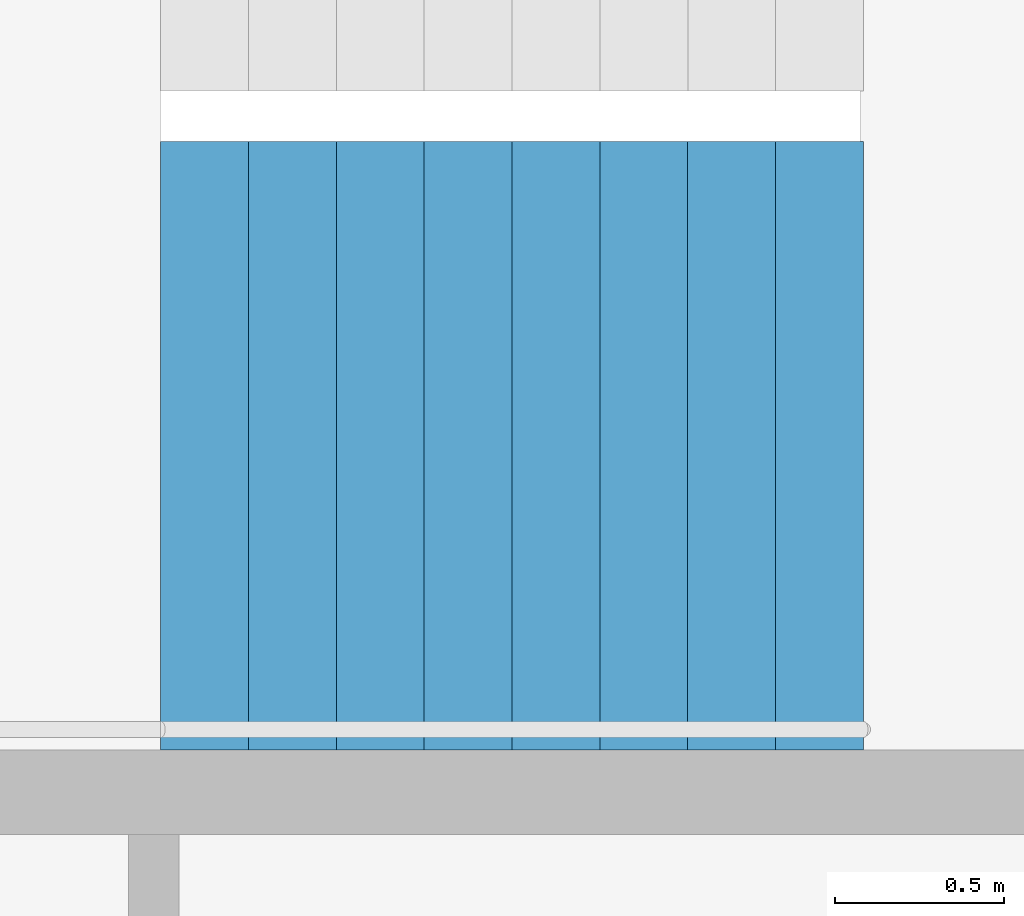
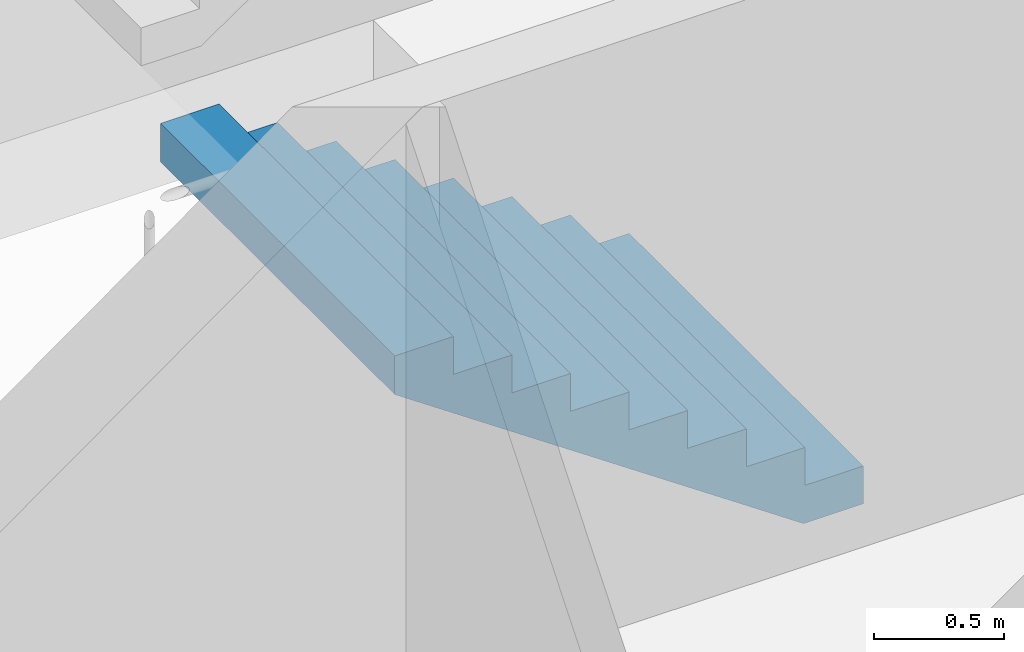
# One storey, part 24 of 26: 1 stair flight, 1 element without a shape of its own.
"""IFC4 building model written with IfcOpenShell, lengths in metres."""

from ifc_helpers import new_model, si_unit, direction, frame, origin, place, context, subcontext, project, spatial, triangles, material, type_object, element, aggregate, save


model = new_model("IFC4")

# Units and contexts
model_context = context("Model", 3, precision=1e-05, world=origin(), true_north=direction((0.0, 1.0)))
body_context = subcontext(model_context, "Body", "Model", "MODEL_VIEW")
ifc_project = project(units=[si_unit("LENGTHUNIT", "METRE"), si_unit("AREAUNIT", "SQUARE_METRE"), si_unit("VOLUMEUNIT", "CUBIC_METRE"), si_unit("PLANEANGLEUNIT", "RADIAN"), si_unit("MASSUNIT", "GRAM", prefix="KILO")], contexts=[model_context])

# Site, building, storey
site_placement = place(None, origin())
site = spatial("IfcSite", under=ifc_project, at=site_placement, CompositionType="ELEMENT")
building_placement = place(site_placement, origin())
building = spatial("IfcBuilding", under=site, at=building_placement, Name="Hakoniwa Tower and Hamabe Station Hall", CompositionType="ELEMENT")
storey_placement = place(building_placement, frame((0.0, 0.0, 131.0)))
storey = spatial("IfcBuildingStorey", under=building, at=storey_placement, Name="L36", CompositionType="ELEMENT", Elevation=131.0)

# Stair, stair flight
ifc_material_1 = material(Name="Concrete C40", Category="concrete")
stair_type = type_object("IfcStairType", Name="ESCAPE STAIR 1800", PredefinedType="HALF_TURN_STAIR", material=ifc_material_1)
stair_placement = place(storey_placement, origin())
stair = element("IfcStair", 1, at=stair_placement, inside=storey, type_object=stair_type, Name="Escape stair ST-3 L36", PredefinedType="HALF_TURN_STAIR")
ifc_material_2 = material(Name="Concrete C40", Category="concrete")
stair_flight_type = type_object("IfcStairFlightType", Name="STAIR FLIGHT 1800", PredefinedType="STRAIGHT", material=ifc_material_2)
stair_flight_placement = place(storey_placement, frame((24.39990234375, 4.64990234375, 0.0), z_axis=(0.0, 0.0, 1.0), x_axis=(-1.0, 0.0, 0.0)))
stair_flight = element("IfcStairFlight", 2, at=stair_flight_placement, type_object=stair_flight_type, Name="ST-3 flight 1", NumberOfRisers=9, NumberOfTreads=8, PredefinedType="STRAIGHT", RiserHeight=0.177777778, TreadLength=0.26, context=body_context, shape_type="Tessellation", body=[
    triangles([(0.0, 0.89990234375, 0.0), (0.260009765625, 0.89990234375, 0.0), (0.265625, 0.89990234375, 0.0), (0.52001953125, 0.89990234375, 0.174072265625), (0.780029296875, 0.89990234375, 0.351806640625), (1.0400390625, 0.89990234375, 0.529541015625), (1.300048828125, 0.89990234375, 0.707275390625), (1.56005859375, 0.89990234375, 0.885009765625), (1.820068359375, 0.89990234375, 1.062744140625), (2.080078125, 0.89990234375, 1.24072265625), (2.080078125, 0.89990234375, 1.422119140625), (1.820068359375, 0.89990234375, 1.422119140625), (1.820068359375, 0.89990234375, 1.244384765625), (1.56005859375, 0.89990234375, 1.244384765625), (1.56005859375, 0.89990234375, 1.066650390625), (1.300048828125, 0.89990234375, 1.066650390625), (1.300048828125, 0.89990234375, 0.888916015625), (1.0400390625, 0.89990234375, 0.888916015625), (1.0400390625, 0.89990234375, 0.711181640625), (0.780029296875, 0.89990234375, 0.711181640625), (0.780029296875, 0.89990234375, 0.533447265625), (0.52001953125, 0.89990234375, 0.533447265625), (0.52001953125, 0.89990234375, 0.35546875), (0.265625, 0.89990234375, 0.35546875), (0.260009765625, 0.89990234375, 0.35546875), (0.260009765625, 0.89990234375, 0.177734375), (0.0, 0.89990234375, 0.177734375), (0.0, 0.06005859375, 0.0), (0.260009765625, 0.06005859375, 0.0), (0.265625, 0.06005859375, 0.0), (0.52001953125, 0.06005859375, 0.174072265625), (0.780029296875, 0.06005859375, 0.351806640625), (1.0400390625, 0.06005859375, 0.529541015625), (1.300048828125, 0.06005859375, 0.707275390625), (1.56005859375, 0.06005859375, 0.885009765625), (1.820068359375, 0.06005859375, 1.062744140625), (2.080078125, 0.06005859375, 1.24072265625), (2.080078125, 0.06005859375, 1.422119140625), (1.820068359375, 0.06005859375, 1.422119140625), (1.820068359375, 0.06005859375, 1.244384765625), (1.56005859375, 0.06005859375, 1.244384765625), (1.56005859375, 0.06005859375, 1.066650390625), (1.300048828125, 0.06005859375, 1.066650390625), (1.300048828125, 0.06005859375, 0.888916015625), (1.0400390625, 0.06005859375, 0.888916015625), (1.0400390625, 0.06005859375, 0.711181640625), (0.780029296875, 0.06005859375, 0.711181640625), (0.780029296875, 0.06005859375, 0.533447265625), (0.52001953125, 0.06005859375, 0.533447265625), (0.52001953125, 0.06005859375, 0.35546875), (0.265625, 0.06005859375, 0.35546875), (0.260009765625, 0.06005859375, 0.35546875), (0.260009765625, 0.06005859375, 0.177734375), (0.0, 0.06005859375, 0.177734375), (0.0, 0.04296875, 0.0), (0.260009765625, 0.04296875, 0.0), (0.265625, 0.04296875, 0.0), (0.52001953125, 0.04296875, 0.174072265625), (0.780029296875, 0.04296875, 0.351806640625), (1.0400390625, 0.04296875, 0.529541015625), (1.300048828125, 0.04296875, 0.707275390625), (1.56005859375, 0.04296875, 0.885009765625), (1.820068359375, 0.04296875, 1.062744140625), (2.080078125, 0.04296875, 1.24072265625), (2.080078125, 0.04296875, 1.422119140625), (1.820068359375, 0.04296875, 1.422119140625), (1.820068359375, 0.04296875, 1.244384765625), (1.56005859375, 0.04296875, 1.244384765625), (1.56005859375, 0.04296875, 1.066650390625), (1.300048828125, 0.04296875, 1.066650390625), (1.300048828125, 0.04296875, 0.888916015625), (1.0400390625, 0.04296875, 0.888916015625), (1.0400390625, 0.04296875, 0.711181640625), (0.780029296875, 0.04296875, 0.711181640625), (0.780029296875, 0.04296875, 0.533447265625), (0.52001953125, 0.04296875, 0.533447265625), (0.52001953125, 0.04296875, 0.35546875), (0.265625, 0.04296875, 0.35546875), (0.260009765625, 0.04296875, 0.35546875), (0.260009765625, 0.04296875, 0.177734375), (0.0, 0.04296875, 0.177734375), (0.0, 0.025634765625, 0.0), (0.260009765625, 0.025634765625, 0.0), (0.265625, 0.025634765625, 0.0), (0.52001953125, 0.025634765625, 0.174072265625), (0.780029296875, 0.025634765625, 0.351806640625), (1.0400390625, 0.025634765625, 0.529541015625), (1.300048828125, 0.025634765625, 0.707275390625), (1.56005859375, 0.025634765625, 0.885009765625), (1.820068359375, 0.025634765625, 1.062744140625), (2.080078125, 0.025634765625, 1.24072265625), (2.080078125, 0.025634765625, 1.422119140625), (1.820068359375, 0.025634765625, 1.422119140625), (1.820068359375, 0.025634765625, 1.244384765625), (1.56005859375, 0.025634765625, 1.244384765625), (1.56005859375, 0.025634765625, 1.066650390625), (1.300048828125, 0.025634765625, 1.066650390625), (1.300048828125, 0.025634765625, 0.888916015625), (1.0400390625, 0.025634765625, 0.888916015625), (1.0400390625, 0.025634765625, 0.711181640625), (0.780029296875, 0.025634765625, 0.711181640625), (0.780029296875, 0.025634765625, 0.533447265625), (0.52001953125, 0.025634765625, 0.533447265625), (0.52001953125, 0.025634765625, 0.35546875), (0.265625, 0.025634765625, 0.35546875), (0.260009765625, 0.025634765625, 0.35546875), (0.260009765625, 0.025634765625, 0.177734375), (0.0, 0.025634765625, 0.177734375), (0.0, 0.008544921875, 0.0), (0.260009765625, 0.008544921875, 0.0), (0.265625, 0.008544921875, 0.0), (0.52001953125, 0.008544921875, 0.174072265625), (0.780029296875, 0.008544921875, 0.351806640625), (1.0400390625, 0.008544921875, 0.529541015625), (1.300048828125, 0.008544921875, 0.707275390625), (1.56005859375, 0.008544921875, 0.885009765625), (1.820068359375, 0.008544921875, 1.062744140625), (2.080078125, 0.008544921875, 1.24072265625), (2.080078125, 0.008544921875, 1.422119140625), (1.820068359375, 0.008544921875, 1.422119140625), (1.820068359375, 0.008544921875, 1.244384765625), (1.56005859375, 0.008544921875, 1.244384765625), (1.56005859375, 0.008544921875, 1.066650390625), (1.300048828125, 0.008544921875, 1.066650390625), (1.300048828125, 0.008544921875, 0.888916015625), (1.0400390625, 0.008544921875, 0.888916015625), (1.0400390625, 0.008544921875, 0.711181640625), (0.780029296875, 0.008544921875, 0.711181640625), (0.780029296875, 0.008544921875, 0.533447265625), (0.52001953125, 0.008544921875, 0.533447265625), (0.52001953125, 0.008544921875, 0.35546875), (0.265625, 0.008544921875, 0.35546875), (0.260009765625, 0.008544921875, 0.35546875), (0.260009765625, 0.008544921875, 0.177734375), (0.0, 0.008544921875, 0.177734375), (0.0, -0.008544921875, 0.0), (0.260009765625, -0.008544921875, 0.0), (0.265625, -0.008544921875, 0.0), (0.52001953125, -0.008544921875, 0.174072265625), (0.780029296875, -0.008544921875, 0.351806640625), (1.0400390625, -0.008544921875, 0.529541015625), (1.300048828125, -0.008544921875, 0.707275390625), (1.56005859375, -0.008544921875, 0.885009765625), (1.820068359375, -0.008544921875, 1.062744140625), (2.080078125, -0.008544921875, 1.24072265625), (2.080078125, -0.008544921875, 1.422119140625), (1.820068359375, -0.008544921875, 1.422119140625), (1.820068359375, -0.008544921875, 1.244384765625), (1.56005859375, -0.008544921875, 1.244384765625), (1.56005859375, -0.008544921875, 1.066650390625), (1.300048828125, -0.008544921875, 1.066650390625), (1.300048828125, -0.008544921875, 0.888916015625), (1.0400390625, -0.008544921875, 0.888916015625), (1.0400390625, -0.008544921875, 0.711181640625), (0.780029296875, -0.008544921875, 0.711181640625), (0.780029296875, -0.008544921875, 0.533447265625), (0.52001953125, -0.008544921875, 0.533447265625), (0.52001953125, -0.008544921875, 0.35546875), (0.265625, -0.008544921875, 0.35546875), (0.260009765625, -0.008544921875, 0.35546875), (0.260009765625, -0.008544921875, 0.177734375), (0.0, -0.008544921875, 0.177734375), (0.0, -0.025634765625, 0.0), (0.260009765625, -0.025634765625, 0.0), (0.265625, -0.025634765625, 0.0), (0.52001953125, -0.025634765625, 0.174072265625), (0.780029296875, -0.025634765625, 0.351806640625), (1.0400390625, -0.025634765625, 0.529541015625), (1.300048828125, -0.025634765625, 0.707275390625), (1.56005859375, -0.025634765625, 0.885009765625), (1.820068359375, -0.025634765625, 1.062744140625), (2.080078125, -0.025634765625, 1.24072265625), (2.080078125, -0.025634765625, 1.422119140625), (1.820068359375, -0.025634765625, 1.422119140625), (1.820068359375, -0.025634765625, 1.244384765625), (1.56005859375, -0.025634765625, 1.244384765625), (1.56005859375, -0.025634765625, 1.066650390625), (1.300048828125, -0.025634765625, 1.066650390625), (1.300048828125, -0.025634765625, 0.888916015625), (1.0400390625, -0.025634765625, 0.888916015625), (1.0400390625, -0.025634765625, 0.711181640625), (0.780029296875, -0.025634765625, 0.711181640625), (0.780029296875, -0.025634765625, 0.533447265625), (0.52001953125, -0.025634765625, 0.533447265625), (0.52001953125, -0.025634765625, 0.35546875), (0.265625, -0.025634765625, 0.35546875), (0.260009765625, -0.025634765625, 0.35546875), (0.260009765625, -0.025634765625, 0.177734375), (0.0, -0.025634765625, 0.177734375), (0.0, -0.04296875, 0.0), (0.260009765625, -0.04296875, 0.0), (0.265625, -0.04296875, 0.0), (0.52001953125, -0.04296875, 0.174072265625), (0.780029296875, -0.04296875, 0.351806640625), (1.0400390625, -0.04296875, 0.529541015625), (1.300048828125, -0.04296875, 0.707275390625), (1.56005859375, -0.04296875, 0.885009765625), (1.820068359375, -0.04296875, 1.062744140625), (2.080078125, -0.04296875, 1.24072265625), (2.080078125, -0.04296875, 1.422119140625), (1.820068359375, -0.04296875, 1.422119140625), (1.820068359375, -0.04296875, 1.244384765625), (1.56005859375, -0.04296875, 1.244384765625), (1.56005859375, -0.04296875, 1.066650390625), (1.300048828125, -0.04296875, 1.066650390625), (1.300048828125, -0.04296875, 0.888916015625), (1.0400390625, -0.04296875, 0.888916015625), (1.0400390625, -0.04296875, 0.711181640625), (0.780029296875, -0.04296875, 0.711181640625), (0.780029296875, -0.04296875, 0.533447265625), (0.52001953125, -0.04296875, 0.533447265625), (0.52001953125, -0.04296875, 0.35546875), (0.265625, -0.04296875, 0.35546875), (0.260009765625, -0.04296875, 0.35546875), (0.260009765625, -0.04296875, 0.177734375), (0.0, -0.04296875, 0.177734375), (0.0, -0.06005859375, 0.0), (0.260009765625, -0.06005859375, 0.0), (0.265625, -0.06005859375, 0.0), (0.52001953125, -0.06005859375, 0.174072265625), (0.780029296875, -0.06005859375, 0.351806640625), (1.0400390625, -0.06005859375, 0.529541015625), (1.300048828125, -0.06005859375, 0.707275390625), (1.56005859375, -0.06005859375, 0.885009765625), (1.820068359375, -0.06005859375, 1.062744140625), (2.080078125, -0.06005859375, 1.24072265625), (2.080078125, -0.06005859375, 1.422119140625), (1.820068359375, -0.06005859375, 1.422119140625), (1.820068359375, -0.06005859375, 1.244384765625), (1.56005859375, -0.06005859375, 1.244384765625), (1.56005859375, -0.06005859375, 1.066650390625), (1.300048828125, -0.06005859375, 1.066650390625), (1.300048828125, -0.06005859375, 0.888916015625), (1.0400390625, -0.06005859375, 0.888916015625), (1.0400390625, -0.06005859375, 0.711181640625), (0.780029296875, -0.06005859375, 0.711181640625), (0.780029296875, -0.06005859375, 0.533447265625), (0.52001953125, -0.06005859375, 0.533447265625), (0.52001953125, -0.06005859375, 0.35546875), (0.265625, -0.06005859375, 0.35546875), (0.260009765625, -0.06005859375, 0.35546875), (0.260009765625, -0.06005859375, 0.177734375), (0.0, -0.06005859375, 0.177734375), (0.0, -0.89990234375, 0.0), (0.260009765625, -0.89990234375, 0.0), (0.265625, -0.89990234375, 0.0), (0.52001953125, -0.89990234375, 0.174072265625), (0.780029296875, -0.89990234375, 0.351806640625), (1.0400390625, -0.89990234375, 0.529541015625), (1.300048828125, -0.89990234375, 0.707275390625), (1.56005859375, -0.89990234375, 0.885009765625), (1.820068359375, -0.89990234375, 1.062744140625), (2.080078125, -0.89990234375, 1.24072265625), (2.080078125, -0.89990234375, 1.422119140625), (1.820068359375, -0.89990234375, 1.422119140625), (1.820068359375, -0.89990234375, 1.244384765625), (1.56005859375, -0.89990234375, 1.244384765625), (1.56005859375, -0.89990234375, 1.066650390625), (1.300048828125, -0.89990234375, 1.066650390625), (1.300048828125, -0.89990234375, 0.888916015625), (1.0400390625, -0.89990234375, 0.888916015625), (1.0400390625, -0.89990234375, 0.711181640625), (0.780029296875, -0.89990234375, 0.711181640625), (0.780029296875, -0.89990234375, 0.533447265625), (0.52001953125, -0.89990234375, 0.533447265625), (0.52001953125, -0.89990234375, 0.35546875), (0.265625, -0.89990234375, 0.35546875), (0.260009765625, -0.89990234375, 0.35546875), (0.260009765625, -0.89990234375, 0.177734375), (0.0, -0.89990234375, 0.177734375)], [[2, 27, 26], [245, 269, 270], [2, 1, 27], [245, 270, 244], [3, 25, 24], [246, 267, 268], [3, 26, 25], [246, 268, 269], [3, 2, 26], [246, 269, 245], [4, 24, 23], [247, 266, 267], [4, 3, 24], [247, 267, 246], [5, 22, 21], [248, 264, 265], [5, 23, 22], [248, 265, 266], [5, 4, 23], [248, 266, 247], [6, 20, 19], [249, 262, 263], [6, 21, 20], [249, 263, 264], [6, 5, 21], [249, 264, 248], [7, 18, 17], [250, 260, 261], [7, 19, 18], [250, 261, 262], [7, 6, 19], [250, 262, 249], [8, 16, 15], [251, 258, 259], [8, 17, 16], [251, 259, 260], [8, 7, 17], [251, 260, 250], [9, 14, 13], [252, 256, 257], [9, 15, 14], [252, 257, 258], [9, 8, 15], [252, 258, 251], [10, 12, 11], [253, 254, 255], [10, 13, 12], [253, 255, 256], [10, 9, 13], [253, 256, 252], [1, 2, 29], [1, 29, 28], [28, 29, 56], [28, 56, 55], [55, 56, 83], [55, 83, 82], [82, 83, 110], [82, 110, 109], [109, 110, 137], [109, 137, 136], [136, 137, 164], [136, 164, 163], [163, 164, 191], [163, 191, 190], [190, 191, 218], [190, 218, 217], [217, 218, 245], [217, 245, 244], [2, 3, 30], [2, 30, 29], [29, 30, 57], [29, 57, 56], [56, 57, 84], [56, 84, 83], [83, 84, 111], [83, 111, 110], [110, 111, 138], [110, 138, 137], [137, 138, 165], [137, 165, 164], [164, 165, 192], [164, 192, 191], [191, 192, 219], [191, 219, 218], [218, 219, 246], [218, 246, 245], [3, 4, 31], [3, 31, 30], [30, 31, 58], [30, 58, 57], [57, 58, 85], [57, 85, 84], [84, 85, 112], [84, 112, 111], [111, 112, 139], [111, 139, 138], [138, 139, 166], [138, 166, 165], [165, 166, 193], [165, 193, 192], [192, 193, 220], [192, 220, 219], [219, 220, 247], [219, 247, 246], [4, 5, 32], [4, 32, 31], [31, 32, 59], [31, 59, 58], [58, 59, 86], [58, 86, 85], [85, 86, 113], [85, 113, 112], [112, 113, 140], [112, 140, 139], [139, 140, 167], [139, 167, 166], [166, 167, 194], [166, 194, 193], [193, 194, 221], [193, 221, 220], [220, 221, 248], [220, 248, 247], [5, 6, 33], [5, 33, 32], [32, 33, 60], [32, 60, 59], [59, 60, 87], [59, 87, 86], [86, 87, 114], [86, 114, 113], [113, 114, 141], [113, 141, 140], [140, 141, 168], [140, 168, 167], [167, 168, 195], [167, 195, 194], [194, 195, 222], [194, 222, 221], [221, 222, 249], [221, 249, 248], [6, 7, 34], [6, 34, 33], [33, 34, 61], [33, 61, 60], [60, 61, 88], [60, 88, 87], [87, 88, 115], [87, 115, 114], [114, 115, 142], [114, 142, 141], [141, 142, 169], [141, 169, 168], [168, 169, 196], [168, 196, 195], [195, 196, 223], [195, 223, 222], [222, 223, 250], [222, 250, 249], [7, 8, 35], [7, 35, 34], [34, 35, 62], [34, 62, 61], [61, 62, 89], [61, 89, 88], [88, 89, 116], [88, 116, 115], [115, 116, 143], [115, 143, 142], [142, 143, 170], [142, 170, 169], [169, 170, 197], [169, 197, 196], [196, 197, 224], [196, 224, 223], [223, 224, 251], [223, 251, 250], [8, 9, 36], [8, 36, 35], [35, 36, 63], [35, 63, 62], [62, 63, 90], [62, 90, 89], [89, 90, 117], [89, 117, 116], [116, 117, 144], [116, 144, 143], [143, 144, 171], [143, 171, 170], [170, 171, 198], [170, 198, 197], [197, 198, 225], [197, 225, 224], [224, 225, 252], [224, 252, 251], [9, 10, 37], [9, 37, 36], [36, 37, 64], [36, 64, 63], [63, 64, 91], [63, 91, 90], [90, 91, 118], [90, 118, 117], [117, 118, 145], [117, 145, 144], [144, 145, 172], [144, 172, 171], [171, 172, 199], [171, 199, 198], [198, 199, 226], [198, 226, 225], [225, 226, 253], [225, 253, 252], [10, 11, 38], [10, 38, 37], [37, 38, 65], [37, 65, 64], [64, 65, 92], [64, 92, 91], [91, 92, 119], [91, 119, 118], [118, 119, 146], [118, 146, 145], [145, 146, 173], [145, 173, 172], [172, 173, 200], [172, 200, 199], [199, 200, 227], [199, 227, 226], [226, 227, 254], [226, 254, 253], [11, 12, 39], [11, 39, 38], [38, 39, 66], [38, 66, 65], [65, 66, 93], [65, 93, 92], [92, 93, 120], [92, 120, 119], [119, 120, 147], [119, 147, 146], [146, 147, 174], [146, 174, 173], [173, 174, 201], [173, 201, 200], [200, 201, 228], [200, 228, 227], [227, 228, 255], [227, 255, 254], [12, 13, 40], [12, 40, 39], [39, 40, 67], [39, 67, 66], [66, 67, 94], [66, 94, 93], [93, 94, 121], [93, 121, 120], [120, 121, 148], [120, 148, 147], [147, 148, 175], [147, 175, 174], [174, 175, 202], [174, 202, 201], [201, 202, 229], [201, 229, 228], [228, 229, 256], [228, 256, 255], [13, 14, 41], [13, 41, 40], [40, 41, 68], [40, 68, 67], [67, 68, 95], [67, 95, 94], [94, 95, 122], [94, 122, 121], [121, 122, 149], [121, 149, 148], [148, 149, 176], [148, 176, 175], [175, 176, 203], [175, 203, 202], [202, 203, 230], [202, 230, 229], [229, 230, 257], [229, 257, 256], [14, 15, 42], [14, 42, 41], [41, 42, 69], [41, 69, 68], [68, 69, 96], [68, 96, 95], [95, 96, 123], [95, 123, 122], [122, 123, 150], [122, 150, 149], [149, 150, 177], [149, 177, 176], [176, 177, 204], [176, 204, 203], [203, 204, 231], [203, 231, 230], [230, 231, 258], [230, 258, 257], [15, 16, 43], [15, 43, 42], [42, 43, 70], [42, 70, 69], [69, 70, 97], [69, 97, 96], [96, 97, 124], [96, 124, 123], [123, 124, 151], [123, 151, 150], [150, 151, 178], [150, 178, 177], [177, 178, 205], [177, 205, 204], [204, 205, 232], [204, 232, 231], [231, 232, 259], [231, 259, 258], [16, 17, 44], [16, 44, 43], [43, 44, 71], [43, 71, 70], [70, 71, 98], [70, 98, 97], [97, 98, 125], [97, 125, 124], [124, 125, 152], [124, 152, 151], [151, 152, 179], [151, 179, 178], [178, 179, 206], [178, 206, 205], [205, 206, 233], [205, 233, 232], [232, 233, 260], [232, 260, 259], [17, 18, 45], [17, 45, 44], [44, 45, 72], [44, 72, 71], [71, 72, 99], [71, 99, 98], [98, 99, 126], [98, 126, 125], [125, 126, 153], [125, 153, 152], [152, 153, 180], [152, 180, 179], [179, 180, 207], [179, 207, 206], [206, 207, 234], [206, 234, 233], [233, 234, 261], [233, 261, 260], [18, 19, 46], [18, 46, 45], [45, 46, 73], [45, 73, 72], [72, 73, 100], [72, 100, 99], [99, 100, 127], [99, 127, 126], [126, 127, 154], [126, 154, 153], [153, 154, 181], [153, 181, 180], [180, 181, 208], [180, 208, 207], [207, 208, 235], [207, 235, 234], [234, 235, 262], [234, 262, 261], [19, 20, 47], [19, 47, 46], [46, 47, 74], [46, 74, 73], [73, 74, 101], [73, 101, 100], [100, 101, 128], [100, 128, 127], [127, 128, 155], [127, 155, 154], [154, 155, 182], [154, 182, 181], [181, 182, 209], [181, 209, 208], [208, 209, 236], [208, 236, 235], [235, 236, 263], [235, 263, 262], [20, 21, 48], [20, 48, 47], [47, 48, 75], [47, 75, 74], [74, 75, 102], [74, 102, 101], [101, 102, 129], [101, 129, 128], [128, 129, 156], [128, 156, 155], [155, 156, 183], [155, 183, 182], [182, 183, 210], [182, 210, 209], [209, 210, 237], [209, 237, 236], [236, 237, 264], [236, 264, 263], [21, 22, 49], [21, 49, 48], [48, 49, 76], [48, 76, 75], [75, 76, 103], [75, 103, 102], [102, 103, 130], [102, 130, 129], [129, 130, 157], [129, 157, 156], [156, 157, 184], [156, 184, 183], [183, 184, 211], [183, 211, 210], [210, 211, 238], [210, 238, 237], [237, 238, 265], [237, 265, 264], [22, 23, 50], [22, 50, 49], [49, 50, 77], [49, 77, 76], [76, 77, 104], [76, 104, 103], [103, 104, 131], [103, 131, 130], [130, 131, 158], [130, 158, 157], [157, 158, 185], [157, 185, 184], [184, 185, 212], [184, 212, 211], [211, 212, 239], [211, 239, 238], [238, 239, 266], [238, 266, 265], [23, 24, 51], [23, 51, 50], [50, 51, 78], [50, 78, 77], [77, 78, 105], [77, 105, 104], [104, 105, 132], [104, 132, 131], [131, 132, 159], [131, 159, 158], [158, 159, 186], [158, 186, 185], [185, 186, 213], [185, 213, 212], [212, 213, 240], [212, 240, 239], [239, 240, 267], [239, 267, 266], [24, 25, 52], [24, 52, 51], [51, 52, 79], [51, 79, 78], [78, 79, 106], [78, 106, 105], [105, 106, 133], [105, 133, 132], [132, 133, 160], [132, 160, 159], [159, 160, 187], [159, 187, 186], [186, 187, 214], [186, 214, 213], [213, 214, 241], [213, 241, 240], [240, 241, 268], [240, 268, 267], [25, 26, 53], [25, 53, 52], [52, 53, 80], [52, 80, 79], [79, 80, 107], [79, 107, 106], [106, 107, 134], [106, 134, 133], [133, 134, 161], [133, 161, 160], [160, 161, 188], [160, 188, 187], [187, 188, 215], [187, 215, 214], [214, 215, 242], [214, 242, 241], [241, 242, 269], [241, 269, 268], [26, 27, 54], [26, 54, 53], [53, 54, 81], [53, 81, 80], [80, 81, 108], [80, 108, 107], [107, 108, 135], [107, 135, 134], [134, 135, 162], [134, 162, 161], [161, 162, 189], [161, 189, 188], [188, 189, 216], [188, 216, 215], [215, 216, 243], [215, 243, 242], [242, 243, 270], [242, 270, 269], [27, 1, 28], [27, 28, 54], [54, 28, 55], [54, 55, 81], [81, 55, 82], [81, 82, 108], [108, 82, 109], [108, 109, 135], [135, 109, 136], [135, 136, 162], [162, 136, 163], [162, 163, 189], [189, 163, 190], [189, 190, 216], [216, 190, 217], [216, 217, 243], [243, 217, 244], [243, 244, 270]], closed=True),
])
aggregate(stair, [stair_flight])

save(model, "model.ifc")
